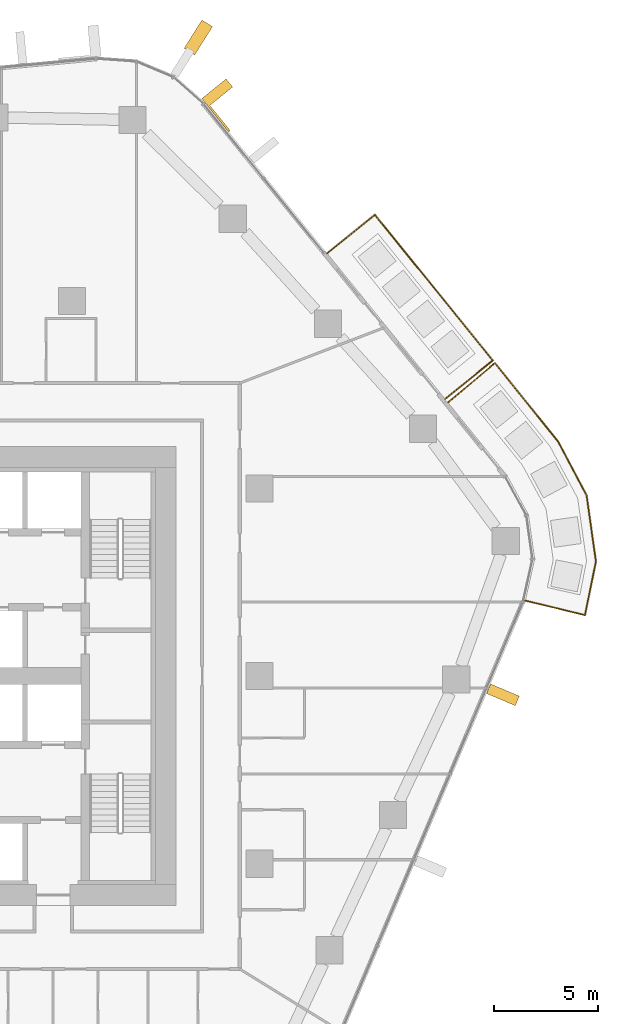
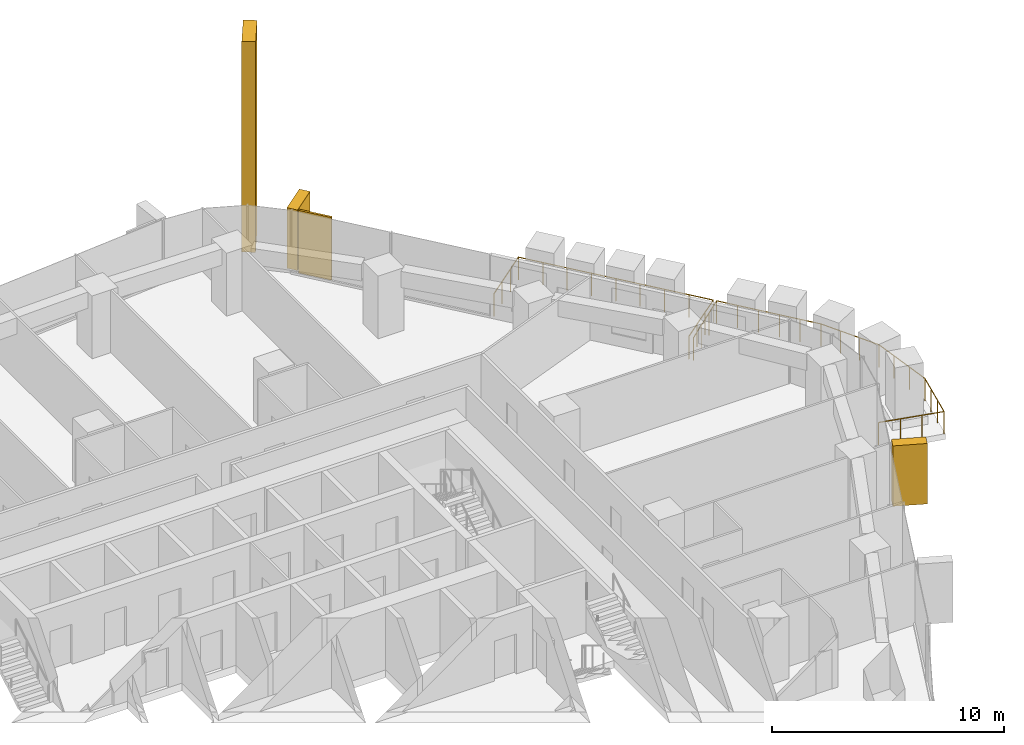
# One storey, part 24 of 24: 4 coverings, 2 railings, 3 elements without a shape of their own.
"""IFC4 building model written with IfcOpenShell, lengths in metres."""

from ifc_helpers import new_model, si_unit, direction, frame, origin, origin_2d, place, context, subcontext, project, spatial, rectangle, circle, extrude, material, layer, layer_set, material_profile, profile_set, type_object, element, aggregate, save


model = new_model("IFC4")

# Units and contexts
model_context = context("Model", 3, precision=1e-05, world=origin(), true_north=direction((0.0, 1.0)))
body_context = subcontext(model_context, "Body", "Model", "MODEL_VIEW")
ifc_project = project(units=[si_unit("LENGTHUNIT", "METRE"), si_unit("AREAUNIT", "SQUARE_METRE"), si_unit("VOLUMEUNIT", "CUBIC_METRE"), si_unit("PLANEANGLEUNIT", "RADIAN"), si_unit("MASSUNIT", "GRAM", prefix="KILO")], contexts=[model_context])

# Site, building, storey
site_placement = place(None, origin())
site = spatial("IfcSite", under=ifc_project, at=site_placement, CompositionType="ELEMENT")
building_placement = place(site_placement, origin())
building = spatial("IfcBuilding", under=site, at=building_placement, Name="Dongbaek Canopy Tower", CompositionType="ELEMENT")
storey_placement = place(building_placement, frame((0.0, 0.0, 117.39990234375)))
storey = spatial("IfcBuildingStorey", under=building, at=storey_placement, Name="L25", CompositionType="ELEMENT", Elevation=117.39990234375)

# Railings
ifc_material_1 = material(Name="Stainless steel", Category="steel")
railing_type = type_object("IfcRailingType", Name="Balcony balustrade 1200", PredefinedType="BALUSTRADE", material=ifc_material_1)
railing_1_placement = place(storey_placement, frame((26.90087890625, 13.290283203125, 0.0)))
element("IfcRailing", 1, at=railing_1_placement, inside=storey, type_object=railing_type, Name="Balcony guard L25 1", PredefinedType="BALUSTRADE", context=body_context, shape_type="SweptSolid", body=[
    extrude(circle(Radius=0.02392578125, at=origin_2d()), frame((0.0, 0.0, 1.17578125), z_axis=(0.777177182416, 0.629281834421, 0.0), x_axis=(-0.629281834421, 0.777177182416, 0.0)), (0.0, 0.0, 1.0), 2.93994140625),
    extrude(circle(Radius=0.02392578125, at=origin_2d()), frame((2.284912109375, 1.85009765625, 1.17578125), z_axis=(-0.629313122645, 0.777151847239, 0.0), x_axis=(-0.777151847239, -0.629313122645, 0.0)), (0.0, 0.0, 1.0), 8.9853515625),
    extrude(circle(Radius=0.02392578125, at=origin_2d()), frame((-3.36962890625, 8.8330078125, 1.17578125), z_axis=(-0.777144295509, -0.629322448319, 0.0), x_axis=(0.629322448319, -0.777144295509, 0.0)), (0.0, 0.0, 1.0), 2.93994140625),
    extrude(circle(Radius=0.02099609375, at=origin_2d()), origin(), (0.0, 0.0, 1.0), 1.15185546875),
    extrude(circle(Radius=0.02099609375, at=origin_2d()), frame((0.76171875, 0.61669921875, 0.0)), (0.0, 0.0, 1.0), 1.15185546875),
    extrude(circle(Radius=0.02099609375, at=origin_2d()), frame((1.523193359375, 1.2333984375, 0.0)), (0.0, 0.0, 1.0), 1.15185546875),
    extrude(circle(Radius=0.02099609375, at=origin_2d()), frame((2.284912109375, 1.85009765625, 0.0)), (0.0, 0.0, 1.0), 1.15185546875),
    extrude(circle(Radius=0.02099609375, at=origin_2d()), frame((1.578125, 2.722900390625, 0.0)), (0.0, 0.0, 1.0), 1.15185546875),
    extrude(circle(Radius=0.02099609375, at=origin_2d()), frame((0.871337890625, 3.595703125, 0.0)), (0.0, 0.0, 1.0), 1.15185546875),
    extrude(circle(Radius=0.02099609375, at=origin_2d()), frame((0.16455078125, 4.46875, 0.0)), (0.0, 0.0, 1.0), 1.15185546875),
    extrude(circle(Radius=0.02099609375, at=origin_2d()), frame((-0.54248046875, 5.341552734375, 0.0)), (0.0, 0.0, 1.0), 1.15185546875),
    extrude(circle(Radius=0.02099609375, at=origin_2d()), frame((-1.249267578125, 6.21435546875, 0.0)), (0.0, 0.0, 1.0), 1.15185546875),
    extrude(circle(Radius=0.02099609375, at=origin_2d()), frame((-1.9560546875, 7.08740234375, 0.0)), (0.0, 0.0, 1.0), 1.15185546875),
    extrude(circle(Radius=0.02099609375, at=origin_2d()), frame((-2.662841796875, 7.960205078125, 0.0)), (0.0, 0.0, 1.0), 1.15185546875),
    extrude(circle(Radius=0.02099609375, at=origin_2d()), frame((-3.36962890625, 8.8330078125, 0.0)), (0.0, 0.0, 1.0), 1.15185546875),
    extrude(circle(Radius=0.02099609375, at=origin_2d()), frame((-4.131103515625, 8.21630859375, 0.0)), (0.0, 0.0, 1.0), 1.15185546875),
    extrude(circle(Radius=0.02099609375, at=origin_2d()), frame((-4.892822265625, 7.599609375, 0.0)), (0.0, 0.0, 1.0), 1.15185546875),
    extrude(circle(Radius=0.02099609375, at=origin_2d()), frame((-5.654296875, 6.98291015625, 0.0)), (0.0, 0.0, 1.0), 1.15185546875),
])
railing_2_placement = place(storey_placement, frame((30.753173828125, 3.62158203125, 0.0)))
element("IfcRailing", 2, at=railing_2_placement, inside=storey, type_object=railing_type, Name="Balcony guard L25 5", PredefinedType="BALUSTRADE", context=body_context, shape_type="SweptSolid", body=[
    extrude(circle(Radius=0.02392578125, at=origin_2d()), frame((0.0, 0.0, 1.17578125), z_axis=(0.971217005072, -0.238196408578, 0.0), x_axis=(0.238196408578, 0.971217005072, 0.0)), (0.0, 0.0, 1.0), 2.940673828125),
    extrude(circle(Radius=0.02392578125, at=origin_2d()), frame((2.85595703125, -0.700439453125, 1.17578125), z_axis=(0.200724629093, 0.979647703655, 0.0), x_axis=(-0.979647703655, 0.200724629093, 0.0)), (0.0, 0.0, 1.0), 2.627197265625),
    extrude(circle(Radius=0.02392578125, at=origin_2d()), frame((3.38330078125, 1.873291015625, 1.17578125), z_axis=(-0.139756876028, 0.990185849022, 0.0), x_axis=(-0.990185849022, -0.139756876028, 0.0)), (0.0, 0.0, 1.0), 3.203857421875),
    extrude(circle(Radius=0.02392578125, at=origin_2d()), frame((2.935546875, 5.045654296875, 1.17578125), z_axis=(-0.46915320331, 0.883116793988, 0.0), x_axis=(-0.883116793988, -0.46915320331, 0.0)), (0.0, 0.0, 1.0), 2.941650390625),
    extrude(circle(Radius=0.02392578125, at=origin_2d()), frame((1.555419921875, 7.6435546875, 1.17578125), z_axis=(-0.627404670047, 0.778693379966, 0.0), x_axis=(-0.778693379966, -0.627404670047, 0.0)), (0.0, 0.0, 1.0), 4.81689453125),
    extrude(circle(Radius=0.02392578125, at=origin_2d()), frame((-1.466796875, 11.39453125, 1.17578125), z_axis=(-0.764163591734, -0.645022484157, 0.0), x_axis=(0.645022484157, -0.764163591734, 0.0)), (0.0, 0.0, 1.0), 2.940673828125),
    extrude(circle(Radius=0.02099609375, at=origin_2d()), origin(), (0.0, 0.0, 1.0), 1.15185546875),
    extrude(circle(Radius=0.02099609375, at=origin_2d()), frame((0.951904296875, -0.2333984375, 0.0)), (0.0, 0.0, 1.0), 1.15185546875),
    extrude(circle(Radius=0.02099609375, at=origin_2d()), frame((1.904052734375, -0.467041015625, 0.0)), (0.0, 0.0, 1.0), 1.15185546875),
    extrude(circle(Radius=0.02099609375, at=origin_2d()), frame((2.85595703125, -0.700439453125, 0.0)), (0.0, 0.0, 1.0), 1.15185546875),
    extrude(circle(Radius=0.02099609375, at=origin_2d()), frame((3.03173828125, 0.157470703125, 0.0)), (0.0, 0.0, 1.0), 1.15185546875),
    extrude(circle(Radius=0.02099609375, at=origin_2d()), frame((3.20751953125, 1.015380859375, 0.0)), (0.0, 0.0, 1.0), 1.15185546875),
    extrude(circle(Radius=0.02099609375, at=origin_2d()), frame((3.38330078125, 1.873291015625, 0.0)), (0.0, 0.0, 1.0), 1.15185546875),
    extrude(circle(Radius=0.02099609375, at=origin_2d()), frame((3.234130859375, 2.9306640625, 0.0)), (0.0, 0.0, 1.0), 1.15185546875),
    extrude(circle(Radius=0.02099609375, at=origin_2d()), frame((3.084716796875, 3.98828125, 0.0)), (0.0, 0.0, 1.0), 1.15185546875),
    extrude(circle(Radius=0.02099609375, at=origin_2d()), frame((2.935546875, 5.045654296875, 0.0)), (0.0, 0.0, 1.0), 1.15185546875),
    extrude(circle(Radius=0.02099609375, at=origin_2d()), frame((2.4755859375, 5.91162109375, 0.0)), (0.0, 0.0, 1.0), 1.15185546875),
    extrude(circle(Radius=0.02099609375, at=origin_2d()), frame((2.015380859375, 6.777587890625, 0.0)), (0.0, 0.0, 1.0), 1.15185546875),
    extrude(circle(Radius=0.02099609375, at=origin_2d()), frame((1.555419921875, 7.6435546875, 0.0)), (0.0, 0.0, 1.0), 1.15185546875),
    extrude(circle(Radius=0.02099609375, at=origin_2d()), frame((0.950927734375, 8.393798828125, 0.0)), (0.0, 0.0, 1.0), 1.15185546875),
    extrude(circle(Radius=0.02099609375, at=origin_2d()), frame((0.346435546875, 9.14404296875, 0.0)), (0.0, 0.0, 1.0), 1.15185546875),
    extrude(circle(Radius=0.02099609375, at=origin_2d()), frame((-0.2578125, 9.89404296875, 0.0)), (0.0, 0.0, 1.0), 1.15185546875),
    extrude(circle(Radius=0.02099609375, at=origin_2d()), frame((-0.8623046875, 10.644287109375, 0.0)), (0.0, 0.0, 1.0), 1.15185546875),
    extrude(circle(Radius=0.02099609375, at=origin_2d()), frame((-1.466796875, 11.39453125, 0.0)), (0.0, 0.0, 1.0), 1.15185546875),
    extrude(circle(Radius=0.02099609375, at=origin_2d()), frame((-2.2158203125, 10.76220703125, 0.0)), (0.0, 0.0, 1.0), 1.15185546875),
    extrude(circle(Radius=0.02099609375, at=origin_2d()), frame((-2.96484375, 10.130126953125, 0.0)), (0.0, 0.0, 1.0), 1.15185546875),
    extrude(circle(Radius=0.02099609375, at=origin_2d()), frame((-3.7138671875, 9.497802734375, 0.0)), (0.0, 0.0, 1.0), 1.15185546875),
])

# Curtain wall, covering
ifc_material_2 = material(Name="Aluminium 6063-T6 pale anodised", Category="aluminium")
ifc_layer_1 = layer(ifc_material_2, 0.199951171875)
ifc_layer_set_1 = layer_set([ifc_layer_1], Name="CW-1 unitised tower curtain wall")
curtain_wall_type = type_object("IfcCurtainWallType", Name="CW-1 unitised tower curtain wall", PredefinedType="NOTDEFINED", material=ifc_layer_set_1)
curtain_wall_1_placement = place(storey_placement, origin())
curtain_wall_1 = element("IfcCurtainWall", 3, at=curtain_wall_1_placement, inside=storey, type_object=curtain_wall_type, Name="CW-1 curtain wall K1.1", PredefinedType="NOTDEFINED")
ifc_material_3 = material(Name="Aluminium 6063-T6 pale metal fin", Category="aluminium")
ifc_material_profile_1 = material_profile(ifc_material_3, rectangle(XDim=1.60009765625, YDim=0.60009765625, at=origin_2d()), Name="Corner fin CN1 600 x 1600 pale metal")
ifc_profile_set_1 = profile_set([ifc_material_profile_1], Name="Aluminium 6063-T6 pale metal fin")
covering_type_1 = type_object("IfcCoveringType", Name="Corner fin CN1 600 x 1600 pale metal", PredefinedType="CLADDING", material=ifc_profile_set_1)
covering_1_placement = place(storey_placement, frame((15.066162109375, 30.632080078125, -0.199951171875), z_axis=(0.0, 0.0, 1.0), x_axis=(0.533090407429, 0.846058282571, 0.0)))
covering_1 = element("IfcCovering", 4, at=covering_1_placement, type_object=covering_type_1, Name="Corner fin L25 L27 K1", PredefinedType="CLADDING", context=body_context, shape_type="SweptSolid", body=[
    extrude(rectangle(XDim=1.60009765625, YDim=0.60009765625, at=origin_2d()), origin(), (0.0, 0.0, 1.0), 11.080078125),
])
aggregate(curtain_wall_1, [covering_1])

# Curtain wall, coverings
curtain_wall_2_placement = place(storey_placement, origin())
curtain_wall_2 = element("IfcCurtainWall", 5, at=curtain_wall_2_placement, inside=storey, type_object=curtain_wall_type, Name="CW-1 curtain wall F0.1", PredefinedType="NOTDEFINED")
ifc_material_4 = material(Name="Perforated aluminium 6063-T6 pale metal screen", Category="aluminium")
ifc_layer_2 = layer(ifc_material_4, 0.10009765625)
ifc_layer_set_2 = layer_set([ifc_layer_2], Name="Facet screen FS1 100 pale metal")
covering_type_2 = type_object("IfcCoveringType", Name="Facet screen FS1 100 pale metal", PredefinedType="CLADDING", material=ifc_layer_set_2)
covering_2_placement = place(storey_placement, frame((16.083984375, 26.721923828125, 0.0), z_axis=(0.0, 0.0, 1.0), x_axis=(-0.629301401604, 0.777161338423, 0.0)))
covering_2 = element("IfcCovering", 6, at=covering_2_placement, type_object=covering_type_2, Name="Facet screen L25 F0", PredefinedType="CLADDING", context=body_context, shape_type="SweptSolid", body=[
    extrude(rectangle(XDim=1.5126953125, YDim=0.10009765625, at=origin_2d()), origin(), (0.0, 0.0, 1.0), 3.300048828125),
])
ifc_material_5 = material(Name="Aluminium 6063-T6 pale metal fin", Category="aluminium")
ifc_material_profile_2 = material_profile(ifc_material_5, rectangle(XDim=1.5, YDim=0.5, at=origin_2d()), Name="Fin FN1 500 x 1500 pale metal")
ifc_profile_set_2 = profile_set([ifc_material_profile_2], Name="Aluminium 6063-T6 pale metal fin")
covering_type_3 = type_object("IfcCoveringType", Name="Fin FN1 500 x 1500 pale metal", PredefinedType="CLADDING", material=ifc_profile_set_2)
covering_3_placement = place(storey_placement, frame((15.97265625, 27.97802734375, 0.1201171875), z_axis=(0.0, 0.0, 1.0), x_axis=(0.777161000453, 0.629301818982, 0.0)))
covering_3 = element("IfcCovering", 7, at=covering_3_placement, type_object=covering_type_3, Name="Fin F0.1.3", PredefinedType="CLADDING", context=body_context, shape_type="SweptSolid", body=[
    extrude(rectangle(XDim=1.5, YDim=0.5, at=origin_2d()), origin(), (0.0, 0.0, 1.0), 3.179931640625),
])
aggregate(curtain_wall_2, [covering_3, covering_2])

# Curtain wall, covering
curtain_wall_3_placement = place(storey_placement, origin())
curtain_wall_3 = element("IfcCurtainWall", 8, at=curtain_wall_3_placement, inside=storey, type_object=curtain_wall_type, Name="CW-1 curtain wall F5.1", PredefinedType="NOTDEFINED")
covering_4_placement = place(storey_placement, frame((29.67626953125, -0.899169921875, 0.1201171875), z_axis=(0.0, 0.0, 1.0), x_axis=(0.920957724744, -0.389662506836, 0.0)))
covering_4 = element("IfcCovering", 9, at=covering_4_placement, type_object=covering_type_3, Name="Fin F5.1.7", PredefinedType="CLADDING", context=body_context, shape_type="SweptSolid", body=[
    extrude(rectangle(XDim=1.5, YDim=0.5, at=origin_2d()), origin(), (0.0, 0.0, 1.0), 3.179931640625),
])
aggregate(curtain_wall_3, [covering_4])

save(model, "model.ifc")
